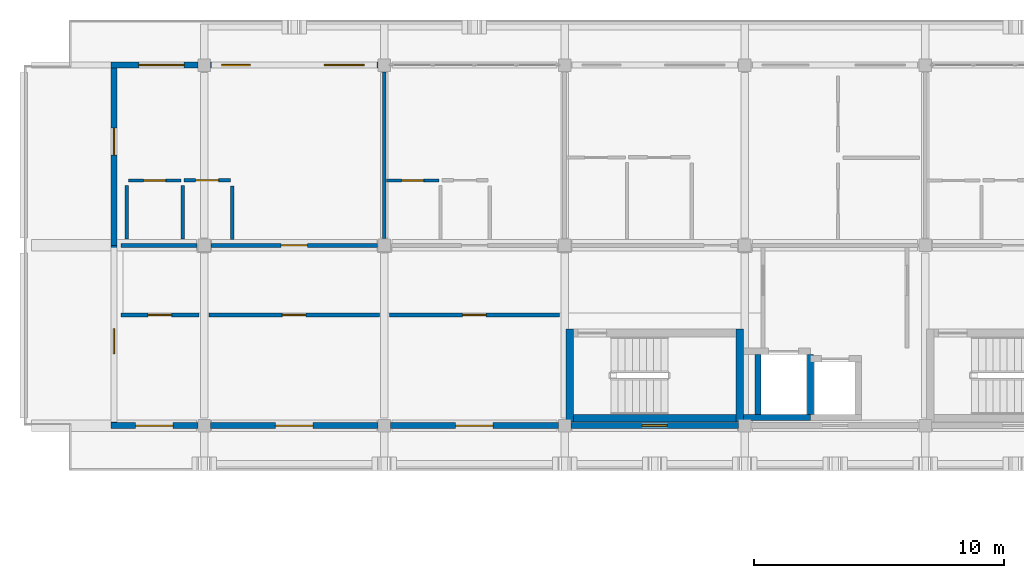
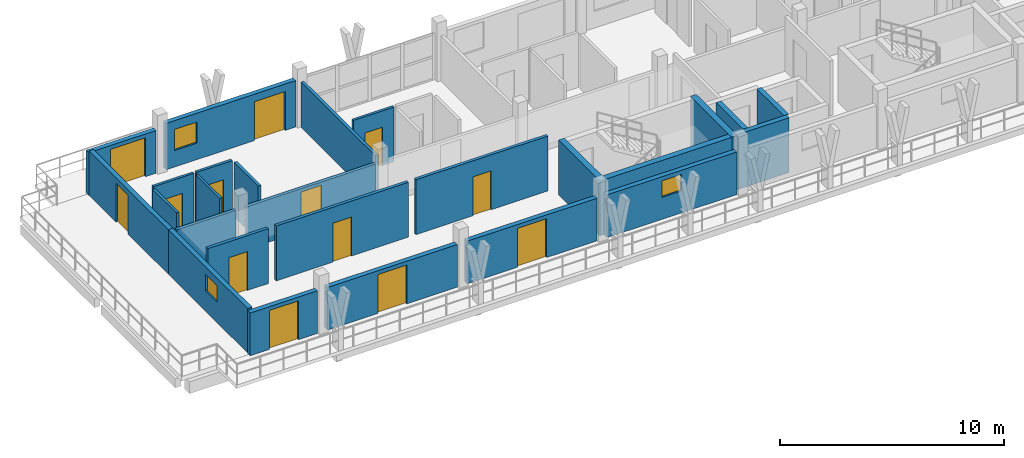
# One storey, part 27 of 45: 26 walls, 13 doors, 3 windows, 16 openings.
"""IFC4 building model written with IfcOpenShell, lengths in metres."""

from ifc_helpers import new_model, si_unit, direction, frame, frame_2d, origin, place, context, subcontext, project, spatial, rectangle, extrude, material, layer, layer_set, type_object, element, fill, save


model = new_model("IFC4")

# Units and contexts
model_context = context("Model", 3, precision=1e-05, world=origin(), true_north=direction((0.0, 1.0)))
body_context = subcontext(model_context, "Body", "Model", "MODEL_VIEW")
ifc_project = project(units=[si_unit("LENGTHUNIT", "METRE"), si_unit("AREAUNIT", "SQUARE_METRE"), si_unit("VOLUMEUNIT", "CUBIC_METRE"), si_unit("PLANEANGLEUNIT", "RADIAN"), si_unit("MASSUNIT", "GRAM", prefix="KILO")], contexts=[model_context])

# Site, building, storey
site_placement = place(None, origin())
site = spatial("IfcSite", under=ifc_project, at=site_placement, CompositionType="ELEMENT")
building_placement = place(site_placement, origin())
building = spatial("IfcBuilding", under=site, at=building_placement, Name="Suanplinth Sawtooth Commons", CompositionType="ELEMENT")
storey_placement = place(building_placement, frame((0.0, 0.0, 38.0)))
storey = spatial("IfcBuildingStorey", under=building, at=storey_placement, Name="L11", CompositionType="ELEMENT", Elevation=38.0)

# Walls
ifc_material_1 = material(Name="Concrete C40/50", Category="concrete")
ifc_layer_1 = layer(ifc_material_1, 0.300048828125, Name="Standard RC stair and lift core wall 300mm")
ifc_layer_set_1 = layer_set([ifc_layer_1], Name="Concrete C40/50")
wall_type_1 = type_object("IfcWallType", Name="W-CR02", PredefinedType="SHEAR", material=ifc_layer_set_1)
wall_1_placement = place(storey_placement, frame((43.550048828125, 108.300048828125, 0.0), z_axis=(0.0, 0.0, 1.0), x_axis=(1.0, 0.0, 0.0)))
element("IfcWall", 1, at=wall_1_placement, inside=storey, type_object=wall_type_1, Name="W-L11-C-A1-STS", PredefinedType="SHEAR", context=body_context, shape_type="SweptSolid", body=[
    extrude(rectangle(XDim=6.5, YDim=0.300048828125, at=frame_2d((3.25, 0.0))), origin(), (0.0, 0.0, 1.0), 2.989990234375),
])
for number, where, z_axis, x_axis, name in (
    (2, (43.39990234375, 108.14990234375, 0.0), (0.0, 0.0, 1.0), (0.0, 1.0, 0.0), "W-L11-C-A1-STW"),
    (3, (50.199951171875, 108.14990234375, 0.0), (0.0, 0.0, 1.0), (0.0, 1.0, 0.0), "W-L11-C-A1-STE"),
):
    element("IfcWall", number, at=place(storey_placement, frame(where, z_axis=z_axis, x_axis=x_axis)), inside=storey, type_object=wall_type_1, Name=name, PredefinedType="SHEAR", context=body_context, shape_type="SweptSolid", body=[
        extrude(rectangle(XDim=3.7001953125, YDim=0.300048828125, at=frame_2d((1.85009765625, 0.0))), origin(), (0.0, 0.0, 1.0), 2.989990234375),
    ])

# Wall, opening, door
ifc_material_2 = material(Name="Precast concrete C40/50", Category="concrete")
ifc_layer_2 = layer(ifc_material_2, 0.239990234375, Name="Upper insulated precast facade wall 240mm")
ifc_layer_set_2 = layer_set([ifc_layer_2], Name="Precast concrete C40/50")
wall_type_2 = type_object("IfcWallType", Name="W-EX03", PredefinedType="ELEMENTEDWALL", material=ifc_layer_set_2)
wall_2_placement = place(storey_placement, frame((25.080078125, 122.39990234375, 0.0), z_axis=(0.0, 0.0, 1.0), x_axis=(1.0, 0.0, 0.0)))
wall_2 = element("IfcWall", 4, at=wall_2_placement, inside=storey, type_object=wall_type_2, Name="Facade Wall W-L11-A-N-0", PredefinedType="ELEMENTEDWALL", context=body_context, shape_type="SweptSolid", body=[
    extrude(rectangle(XDim=3.469970703125, YDim=0.239990234375, at=frame_2d((1.73486328125, 0.0))), origin(), (0.0, 0.0, 1.0), 2.324951171875),
])
opening_1_placement = place(wall_2_placement, frame((1.1201171875, 0.0, 0.0)))
opening_1 = element("IfcOpeningElement", 5, at=opening_1_placement, cuts=wall_2, Name="Opening ED0778", PredefinedType="OPENING", context=body_context, shape_type="SweptSolid", body=[
    extrude(rectangle(XDim=1.800048828125, YDim=2.1201171875, at=frame_2d((0.89990234375, 1.06005859375))), frame((0.0, 0.134765625, 0.0), z_axis=(0.0, -1.0, 0.0), x_axis=(1.0, 0.0, 0.0)), (0.0, 0.0, 1.0), 0.269775390625),
])
ifc_material_3 = material(Name="Anodized aluminium and low-E glass", Category="aluminium")
door_type_1 = type_object("IfcDoorType", Name="SD-01", OperationType="SLIDING_TO_LEFT", PredefinedType="DOOR", material=ifc_material_3)
door_1_placement = place(opening_1_placement, frame((1.800048828125, 0.0, 0.0), z_axis=(0.0, 0.0, 1.0), x_axis=(-1.0, 0.0, 0.0)))
door_1 = element("IfcDoor", 6, at=door_1_placement, inside=storey, type_object=door_type_1, Name="Balcony Sliding Door L11-A-N-0", OperationType="SLIDING_TO_LEFT", OverallHeight=2.1201171875, OverallWidth=1.800048828125, PredefinedType="DOOR", context=body_context, shape_type="SweptSolid", body=[
    extrude(rectangle(XDim=1.800048828125, YDim=2.1201171875, at=frame_2d((0.89990234375, 1.06005859375))), frame((0.0, 0.02490234375, 0.0), z_axis=(0.0, -1.0, 0.0), x_axis=(1.0, 0.0, 0.0)), (0.0, 0.0, 1.0), 0.050048828125),
])
fill(opening_1, door_1)

wall_3_placement = place(storey_placement, frame((25.080078125, 108.0, 0.0), z_axis=(0.0, 0.0, 1.0), x_axis=(1.0, 0.0, 0.0)))
wall_3 = element("IfcWall", 7, at=wall_3_placement, inside=storey, type_object=wall_type_2, Name="Courtyard Wall W-L11-A-S-0", PredefinedType="ELEMENTEDWALL", context=body_context, shape_type="SweptSolid", body=[
    extrude(rectangle(XDim=3.469970703125, YDim=0.239990234375, at=frame_2d((1.73486328125, 0.0))), origin(), (0.0, 0.0, 1.0), 2.324951171875),
])
opening_2_placement = place(wall_3_placement, frame((0.985107421875, 0.0, 0.0)))
opening_2 = element("IfcOpeningElement", 8, at=opening_2_placement, cuts=wall_3, Name="Opening ED0779", PredefinedType="OPENING", context=body_context, shape_type="SweptSolid", body=[
    extrude(rectangle(XDim=1.5, YDim=2.1201171875, at=frame_2d((0.75, 1.06005859375))), frame((0.0, 0.134765625, 0.0), z_axis=(0.0, -1.0, 0.0), x_axis=(1.0, 0.0, 0.0)), (0.0, 0.0, 1.0), 0.269775390625),
])
door_type_2 = type_object("IfcDoorType", Name="SD-03", OperationType="SLIDING_TO_LEFT", PredefinedType="DOOR", material=ifc_material_3)
door_2_placement = place(opening_2_placement, frame((1.5, 0.0, 0.0), z_axis=(0.0, 0.0, 1.0), x_axis=(-1.0, 0.0, 0.0)))
door_2 = element("IfcDoor", 9, at=door_2_placement, inside=storey, type_object=door_type_2, Name="Courtyard Balcony Sliding Door L11-A-S-0", OperationType="SLIDING_TO_LEFT", OverallHeight=2.1201171875, OverallWidth=1.5, PredefinedType="DOOR", context=body_context, shape_type="SweptSolid", body=[
    extrude(rectangle(XDim=1.5, YDim=2.1201171875, at=frame_2d((0.75, 1.06005859375))), frame((0.0, 0.02490234375, 0.0), z_axis=(0.0, -1.0, 0.0), x_axis=(1.0, 0.0, 0.0)), (0.0, 0.0, 1.0), 0.050048828125),
])
fill(opening_2, door_2)

# Wall, openings, door, window
wall_4_placement = place(storey_placement, frame((29.050048828125, 122.39990234375, 0.0), z_axis=(0.0, 0.0, 1.0), x_axis=(1.0, 0.0, 0.0)))
wall_4 = element("IfcWall", 10, at=wall_4_placement, inside=storey, type_object=wall_type_2, Name="Facade Wall W-L11-A-N-1", PredefinedType="ELEMENTEDWALL", context=body_context, shape_type="SweptSolid", body=[
    extrude(rectangle(XDim=6.699951171875, YDim=0.239990234375, at=frame_2d((3.35009765625, 0.0))), origin(), (0.0, 0.0, 1.0), 2.52490234375),
])
opening_3_placement = place(wall_4_placement, frame((4.550048828125, 0.0, 0.0)))
opening_3 = element("IfcOpeningElement", 11, at=opening_3_placement, cuts=wall_4, Name="Opening ED0780", PredefinedType="OPENING", context=body_context, shape_type="SweptSolid", body=[
    extrude(rectangle(XDim=1.60009765625, YDim=2.1201171875, at=frame_2d((0.800048828125, 1.06005859375))), frame((0.0, 0.134765625, 0.0), z_axis=(0.0, -1.0, 0.0), x_axis=(1.0, 0.0, 0.0)), (0.0, 0.0, 1.0), 0.269775390625),
])
opening_4_placement = place(wall_4_placement, frame((0.449951171875, 0.0, 0.89990234375)))
opening_4 = element("IfcOpeningElement", 12, at=opening_4_placement, cuts=wall_4, Name="Opening W0862", PredefinedType="OPENING", context=body_context, shape_type="SweptSolid", body=[
    extrude(rectangle(XDim=1.14990234375, YDim=1.14990234375, at=frame_2d((0.574951171875, 0.574951171875))), frame((0.0, 0.134765625, 0.0), z_axis=(0.0, -1.0, 0.0), x_axis=(1.0, 0.0, 0.0)), (0.0, 0.0, 1.0), 0.269775390625),
])
door_type_3 = type_object("IfcDoorType", Name="SD-02", OperationType="SLIDING_TO_RIGHT", PredefinedType="DOOR", material=ifc_material_3)
door_3_placement = place(opening_3_placement, frame((1.60009765625, 0.0, 0.0), z_axis=(0.0, 0.0, 1.0), x_axis=(-1.0, 0.0, 0.0)))
door_3 = element("IfcDoor", 13, at=door_3_placement, inside=storey, type_object=door_type_3, Name="Balcony Sliding Door L11-A-N-1", OperationType="SLIDING_TO_RIGHT", OverallHeight=2.1201171875, OverallWidth=1.60009765625, PredefinedType="DOOR", context=body_context, shape_type="SweptSolid", body=[
    extrude(rectangle(XDim=1.60009765625, YDim=2.1201171875, at=frame_2d((0.800048828125, 1.06005859375))), frame((0.0, 0.02490234375, 0.0), z_axis=(0.0, -1.0, 0.0), x_axis=(1.0, 0.0, 0.0)), (0.0, 0.0, 1.0), 0.050048828125),
])
fill(opening_3, door_3)
ifc_material_4 = material(Name="Thermally broken aluminium and low-E double glazing", Category="aluminium")
window_type_1 = type_object("IfcWindowType", Name="WN-20", PartitioningType="SINGLE_PANEL", PredefinedType="WINDOW", material=ifc_material_4)
window_1_placement = place(opening_4_placement, origin())
window_1 = element("IfcWindow", 14, at=window_1_placement, inside=storey, type_object=window_type_1, Name="Window L11-A-N-1", OverallHeight=1.14990234375, OverallWidth=1.14990234375, PartitioningType="SINGLE_PANEL", PredefinedType="WINDOW", context=body_context, shape_type="SweptSolid", body=[
    extrude(rectangle(XDim=1.14990234375, YDim=1.14990234375, at=frame_2d((0.574951171875, 0.574951171875))), frame((0.0, 0.030029296875, 0.0), z_axis=(0.0, -1.0, 0.0), x_axis=(1.0, 0.0, 0.0)), (0.0, 0.0, 1.0), 0.06005859375),
])
fill(opening_4, window_1)

# Wall, opening, door
wall_5_placement = place(storey_placement, frame((29.050048828125, 108.0, 0.0), z_axis=(0.0, 0.0, 1.0), x_axis=(1.0, 0.0, 0.0)))
wall_5 = element("IfcWall", 15, at=wall_5_placement, inside=storey, type_object=wall_type_2, Name="Courtyard Wall W-L11-A-S-1", PredefinedType="ELEMENTEDWALL", context=body_context, shape_type="SweptSolid", body=[
    extrude(rectangle(XDim=6.699951171875, YDim=0.239990234375, at=frame_2d((3.35009765625, 0.0))), origin(), (0.0, 0.0, 1.0), 2.324951171875),
])
opening_5_placement = place(wall_5_placement, frame((2.60009765625, 0.0, 0.0)))
opening_5 = element("IfcOpeningElement", 16, at=opening_5_placement, cuts=wall_5, Name="Opening ED0781", PredefinedType="OPENING", context=body_context, shape_type="SweptSolid", body=[
    extrude(rectangle(XDim=1.5, YDim=2.1201171875, at=frame_2d((0.75, 1.06005859375))), frame((0.0, 0.134765625, 0.0), z_axis=(0.0, -1.0, 0.0), x_axis=(1.0, 0.0, 0.0)), (0.0, 0.0, 1.0), 0.269775390625),
])
door_4_placement = place(opening_5_placement, frame((1.5, 0.0, 0.0), z_axis=(0.0, 0.0, 1.0), x_axis=(-1.0, 0.0, 0.0)))
door_4 = element("IfcDoor", 17, at=door_4_placement, inside=storey, type_object=door_type_2, Name="Courtyard Balcony Sliding Door L11-A-S-1", OperationType="SLIDING_TO_LEFT", OverallHeight=2.1201171875, OverallWidth=1.5, PredefinedType="DOOR", context=body_context, shape_type="SweptSolid", body=[
    extrude(rectangle(XDim=1.5, YDim=2.1201171875, at=frame_2d((0.75, 1.06005859375))), frame((0.0, 0.02490234375, 0.0), z_axis=(0.0, -1.0, 0.0), x_axis=(1.0, 0.0, 0.0)), (0.0, 0.0, 1.0), 0.050048828125),
])
fill(opening_5, door_4)

wall_6_placement = place(storey_placement, frame((36.25, 108.0, 0.0), z_axis=(0.0, 0.0, 1.0), x_axis=(1.0, 0.0, 0.0)))
wall_6 = element("IfcWall", 18, at=wall_6_placement, inside=storey, type_object=wall_type_2, Name="Courtyard Wall W-L11-A-S-2", PredefinedType="ELEMENTEDWALL", context=body_context, shape_type="SweptSolid", body=[
    extrude(rectangle(XDim=6.699951171875, YDim=0.239990234375, at=frame_2d((3.35009765625, 0.0))), origin(), (0.0, 0.0, 1.0), 2.324951171875),
])
opening_6_placement = place(wall_6_placement, frame((2.60009765625, 0.0, 0.0)))
opening_6 = element("IfcOpeningElement", 19, at=opening_6_placement, cuts=wall_6, Name="Opening ED0782", PredefinedType="OPENING", context=body_context, shape_type="SweptSolid", body=[
    extrude(rectangle(XDim=1.5, YDim=2.1201171875, at=frame_2d((0.75, 1.06005859375))), frame((0.0, 0.134765625, 0.0), z_axis=(0.0, -1.0, 0.0), x_axis=(1.0, 0.0, 0.0)), (0.0, 0.0, 1.0), 0.269775390625),
])
door_5_placement = place(opening_6_placement, frame((1.5, 0.0, 0.0), z_axis=(0.0, 0.0, 1.0), x_axis=(-1.0, 0.0, 0.0)))
door_5 = element("IfcDoor", 20, at=door_5_placement, inside=storey, type_object=door_type_2, Name="Courtyard Balcony Sliding Door L11-A-S-2", OperationType="SLIDING_TO_LEFT", OverallHeight=2.1201171875, OverallWidth=1.5, PredefinedType="DOOR", context=body_context, shape_type="SweptSolid", body=[
    extrude(rectangle(XDim=1.5, YDim=2.1201171875, at=frame_2d((0.75, 1.06005859375))), frame((0.0, 0.02490234375, 0.0), z_axis=(0.0, -1.0, 0.0), x_axis=(1.0, 0.0, 0.0)), (0.0, 0.0, 1.0), 0.050048828125),
])
fill(opening_6, door_5)

# Wall, opening, window
wall_7_placement = place(storey_placement, frame((43.449951171875, 108.0, 0.0), z_axis=(0.0, 0.0, 1.0), x_axis=(1.0, 0.0, 0.0)))
wall_7 = element("IfcWall", 21, at=wall_7_placement, inside=storey, type_object=wall_type_2, Name="Courtyard Wall W-L11-A-S-3", PredefinedType="ELEMENTEDWALL", context=body_context, shape_type="SweptSolid", body=[
    extrude(rectangle(XDim=6.699951171875, YDim=0.239990234375, at=frame_2d((3.35009765625, 0.0))), origin(), (0.0, 0.0, 1.0), 2.324951171875),
])
opening_7_placement = place(wall_7_placement, frame((2.85009765625, 0.0, 1.199951171875)))
opening_7 = element("IfcOpeningElement", 22, at=opening_7_placement, cuts=wall_7, Name="Opening W0864", PredefinedType="OPENING", context=body_context, shape_type="SweptSolid", body=[
    extrude(rectangle(XDim=1.0, YDim=0.89990234375, at=frame_2d((0.5, 0.449951171875))), frame((0.0, 0.134765625, 0.0), z_axis=(0.0, -1.0, 0.0), x_axis=(1.0, 0.0, 0.0)), (0.0, 0.0, 1.0), 0.269775390625),
])
window_type_2 = type_object("IfcWindowType", Name="WN-12", PartitioningType="SINGLE_PANEL", PredefinedType="WINDOW", material=ifc_material_4)
window_2_placement = place(opening_7_placement, origin())
window_2 = element("IfcWindow", 23, at=window_2_placement, inside=storey, type_object=window_type_2, Name="Core Daylight Window L11-A-3", OverallHeight=0.89990234375, OverallWidth=1.0, PartitioningType="SINGLE_PANEL", PredefinedType="WINDOW", context=body_context, shape_type="SweptSolid", body=[
    extrude(rectangle(XDim=1.0, YDim=0.89990234375, at=frame_2d((0.5, 0.449951171875))), frame((0.0, 0.030029296875, 0.0), z_axis=(0.0, -1.0, 0.0), x_axis=(1.0, 0.0, 0.0)), (0.0, 0.0, 1.0), 0.06005859375),
])
fill(opening_7, window_2)

ifc_layer_3 = layer(ifc_material_2, 0.22998046875, Name="Stepped terrace insulated precast wall 230mm")
ifc_layer_set_3 = layer_set([ifc_layer_3], Name="Precast concrete C40/50")
wall_type_3 = type_object("IfcWallType", Name="W-EX06", PredefinedType="ELEMENTEDWALL", material=ifc_layer_set_3)
wall_8_placement = place(storey_placement, frame((25.199951171875, 108.1201171875, 0.0), z_axis=(0.0, 0.0, 1.0), x_axis=(0.0, 1.0, 0.0)))
wall_8 = element("IfcWall", 24, at=wall_8_placement, inside=storey, type_object=wall_type_3, Name="End Wall W-L11-A-W-15", PredefinedType="ELEMENTEDWALL", context=body_context, shape_type="SweptSolid", body=[
    extrude(rectangle(XDim=7.079833984375, YDim=0.22998046875, at=frame_2d((3.5400390625, 0.0))), origin(), (0.0, 0.0, 1.0), 2.425048828125),
])
opening_8_placement = place(wall_8_placement, frame((2.75, 0.0, 1.10009765625)))
opening_8 = element("IfcOpeningElement", 25, at=opening_8_placement, cuts=wall_8, Name="Opening W0871", PredefinedType="OPENING", context=body_context, shape_type="SweptSolid", body=[
    extrude(rectangle(XDim=1.0, YDim=0.89990234375, at=frame_2d((0.5, 0.449951171875))), frame((0.0, 0.1298828125, 0.0), z_axis=(0.0, -1.0, 0.0), x_axis=(1.0, 0.0, 0.0)), (0.0, 0.0, 1.0), 0.259765625),
])
window_3_placement = place(opening_8_placement, origin())
window_3 = element("IfcWindow", 26, at=window_3_placement, inside=storey, type_object=window_type_2, Name="End Window L11-A-W-15", OverallHeight=0.89990234375, OverallWidth=1.0, PartitioningType="SINGLE_PANEL", PredefinedType="WINDOW", context=body_context, shape_type="SweptSolid", body=[
    extrude(rectangle(XDim=1.0, YDim=0.89990234375, at=frame_2d((0.5, 0.449951171875))), frame((0.0, 0.030029296875, 0.0), z_axis=(0.0, -1.0, 0.0), x_axis=(1.0, 0.0, 0.0)), (0.0, 0.0, 1.0), 0.06005859375),
])
fill(opening_8, window_3)

# Wall, opening, door
wall_9_placement = place(storey_placement, frame((25.199951171875, 115.199951171875, 0.0), z_axis=(0.0, 0.0, 1.0), x_axis=(0.0, 1.0, 0.0)))
wall_9 = element("IfcWall", 27, at=wall_9_placement, inside=storey, type_object=wall_type_3, Name="End Wall W-L11-A-W-16", PredefinedType="ELEMENTEDWALL", context=body_context, shape_type="SweptSolid", body=[
    extrude(rectangle(XDim=7.080078125, YDim=0.22998046875, at=frame_2d((3.5400390625, 0.0))), origin(), (0.0, 0.0, 1.0), 2.425048828125),
])
opening_9_placement = place(wall_9_placement, frame((3.60009765625, 0.0, 0.0)))
opening_9 = element("IfcOpeningElement", 28, at=opening_9_placement, cuts=wall_9, Name="Opening ED0791", PredefinedType="OPENING", context=body_context, shape_type="SweptSolid", body=[
    extrude(rectangle(XDim=1.080078125, YDim=2.1201171875, at=frame_2d((0.5400390625, 1.06005859375))), frame((0.0, 0.1298828125, 0.0), z_axis=(0.0, -1.0, 0.0), x_axis=(1.0, 0.0, 0.0)), (0.0, 0.0, 1.0), 0.259765625),
])
door_type_4 = type_object("IfcDoorType", Name="ED-10", OperationType="NOTDEFINED", PredefinedType="DOOR", material=ifc_material_3)
door_6_placement = place(opening_9_placement, frame((1.080078125, 0.0, 0.0), z_axis=(0.0, 0.0, 1.0), x_axis=(-1.0, 0.0, 0.0)))
door_6 = element("IfcDoor", 29, at=door_6_placement, inside=storey, type_object=door_type_4, Name="L11 Block A W Stepped Terrace Door", OperationType="SINGLE_SWING_RIGHT", OverallHeight=2.1201171875, OverallWidth=1.080078125, PredefinedType="DOOR", context=body_context, shape_type="SweptSolid", body=[
    extrude(rectangle(XDim=1.080078125, YDim=2.1201171875, at=frame_2d((0.5400390625, 1.06005859375))), frame((0.0, 0.02490234375, 0.0), z_axis=(0.0, -1.0, 0.0), x_axis=(1.0, 0.0, 0.0)), (0.0, 0.0, 1.0), 0.050048828125),
])
fill(opening_9, door_6)

# Wall
ifc_layer_4 = layer(ifc_material_2, 0.159912109375, Name="Fire-rated corridor and lobby wall 160mm")
ifc_layer_set_4 = layer_set([ifc_layer_4], Name="Precast concrete C40/50")
wall_type_4 = type_object("IfcWallType", Name="W-FW01", PredefinedType="PARTITIONING", material=ifc_layer_set_4)
wall_10_placement = place(storey_placement, frame((25.47998046875, 115.199951171875, 0.0), z_axis=(0.0, 0.0, 1.0), x_axis=(1.0, 0.0, 0.0)))
element("IfcWall", 30, at=wall_10_placement, inside=storey, type_object=wall_type_4, Name="W-A-L11-U01-COR-S1", PredefinedType="PARTITIONING", context=body_context, shape_type="SweptSolid", body=[
    extrude(rectangle(XDim=3.0400390625, YDim=0.159912109375, at=frame_2d((1.52001953125, 0.0))), origin(), (0.0, 0.0, 1.0), 2.324951171875),
])

# Wall, opening, door
wall_11_placement = place(storey_placement, frame((29.080078125, 115.199951171875, 0.0), z_axis=(0.0, 0.0, 1.0), x_axis=(1.0, 0.0, 0.0)))
wall_11 = element("IfcWall", 31, at=wall_11_placement, inside=storey, type_object=wall_type_4, Name="W-A-L11-U01-COR-S2", PredefinedType="PARTITIONING", context=body_context, shape_type="SweptSolid", body=[
    extrude(rectangle(XDim=6.639892578125, YDim=0.159912109375, at=frame_2d((3.31982421875, 0.0))), origin(), (0.0, 0.0, 1.0), 2.324951171875),
])
opening_10_placement = place(wall_11_placement, frame((2.794921875, 0.0, 0.0)))
opening_10 = element("IfcOpeningElement", 32, at=opening_10_placement, cuts=wall_11, Name="Opening FD1928", PredefinedType="OPENING", context=body_context, shape_type="SweptSolid", body=[
    extrude(rectangle(XDim=1.050048828125, YDim=2.14990234375, at=frame_2d((0.52490234375, 1.074951171875))), frame((0.0, 0.0947265625, 0.0), z_axis=(0.0, -1.0, 0.0), x_axis=(1.0, 0.0, 0.0)), (0.0, 0.0, 1.0), 0.189697265625),
])
ifc_material_5 = material(Name="Teak hardwood fire-rated door assembly", Category="wood")
door_type_5 = type_object("IfcDoorType", Name="FD-04", OperationType="NOTDEFINED", PredefinedType="DOOR", material=ifc_material_5)
door_7_placement = place(opening_10_placement, origin())
door_7 = element("IfcDoor", 33, at=door_7_placement, inside=storey, type_object=door_type_5, Name="Unit Entrance Door FD1928", OperationType="SINGLE_SWING_RIGHT", OverallHeight=2.14990234375, OverallWidth=1.050048828125, PredefinedType="DOOR", context=body_context, shape_type="SweptSolid", body=[
    extrude(rectangle(XDim=1.050048828125, YDim=2.14990234375, at=frame_2d((0.52490234375, 1.074951171875))), frame((0.0, 0.02490234375, 0.0), z_axis=(0.0, -1.0, 0.0), x_axis=(1.0, 0.0, 0.0)), (0.0, 0.0, 1.0), 0.050048828125),
])
fill(opening_10, door_7)

wall_12_placement = place(storey_placement, frame((25.47998046875, 112.419921875, 0.0), z_axis=(0.0, 0.0, 1.0), x_axis=(1.0, 0.0, 0.0)))
wall_12 = element("IfcWall", 34, at=wall_12_placement, inside=storey, type_object=wall_type_4, Name="W-A-L11-COURTROOM-7-COR", PredefinedType="PARTITIONING", context=body_context, shape_type="SweptSolid", body=[
    extrude(rectangle(XDim=3.1201171875, YDim=0.159912109375, at=frame_2d((1.56005859375, 0.0))), origin(), (0.0, 0.0, 1.0), 2.989990234375),
])
opening_11_placement = place(wall_12_placement, frame((1.090087890625, 0.0, 0.0)))
opening_11 = element("IfcOpeningElement", 35, at=opening_11_placement, cuts=wall_12, Name="Opening D1951", PredefinedType="OPENING", context=body_context, shape_type="SweptSolid", body=[
    extrude(rectangle(XDim=0.93994140625, YDim=2.1201171875, at=frame_2d((0.469970703125, 1.06005859375))), frame((0.0, 0.0947265625, 0.0), z_axis=(0.0, -1.0, 0.0), x_axis=(1.0, 0.0, 0.0)), (0.0, 0.0, 1.0), 0.189697265625),
])
ifc_material_6 = material(Name="Teak hardwood", Category="wood")
door_type_6 = type_object("IfcDoorType", Name="D-15", OperationType="NOTDEFINED", PredefinedType="DOOR", material=ifc_material_6)
door_8_placement = place(opening_11_placement, frame((0.93994140625, 0.0, 0.0), z_axis=(0.0, 0.0, 1.0), x_axis=(-1.0, 0.0, 0.0)))
door_8 = element("IfcDoor", 36, at=door_8_placement, inside=storey, type_object=door_type_6, Name="Study Studio Door D1951", OperationType="SINGLE_SWING_LEFT", OverallHeight=2.1201171875, OverallWidth=0.93994140625, PredefinedType="DOOR", context=body_context, shape_type="SweptSolid", body=[
    extrude(rectangle(XDim=0.93994140625, YDim=2.1201171875, at=frame_2d((0.469970703125, 1.06005859375))), frame((0.0, 0.02490234375, 0.0), z_axis=(0.0, -1.0, 0.0), x_axis=(1.0, 0.0, 0.0)), (0.0, 0.0, 1.0), 0.050048828125),
])
fill(opening_11, door_8)

wall_13_placement = place(storey_placement, frame((29.0, 112.419921875, 0.0), z_axis=(0.0, 0.0, 1.0), x_axis=(1.0, 0.0, 0.0)))
wall_13 = element("IfcWall", 37, at=wall_13_placement, inside=storey, type_object=wall_type_4, Name="W-A-L11-COURTROOM-8-COR", PredefinedType="PARTITIONING", context=body_context, shape_type="SweptSolid", body=[
    extrude(rectangle(XDim=6.800048828125, YDim=0.159912109375, at=frame_2d((3.39990234375, 0.0))), origin(), (0.0, 0.0, 1.0), 2.989990234375),
])
opening_12_placement = place(wall_13_placement, frame((2.929931640625, 0.0, 0.0)))
opening_12 = element("IfcOpeningElement", 38, at=opening_12_placement, cuts=wall_13, Name="Opening D1952", PredefinedType="OPENING", context=body_context, shape_type="SweptSolid", body=[
    extrude(rectangle(XDim=0.93994140625, YDim=2.1201171875, at=frame_2d((0.469970703125, 1.06005859375))), frame((0.0, 0.0947265625, 0.0), z_axis=(0.0, -1.0, 0.0), x_axis=(1.0, 0.0, 0.0)), (0.0, 0.0, 1.0), 0.189697265625),
])
door_9_placement = place(opening_12_placement, frame((0.93994140625, 0.0, 0.0), z_axis=(0.0, 0.0, 1.0), x_axis=(-1.0, 0.0, 0.0)))
door_9 = element("IfcDoor", 39, at=door_9_placement, inside=storey, type_object=door_type_6, Name="Study Studio Door D1952", OperationType="SINGLE_SWING_RIGHT", OverallHeight=2.1201171875, OverallWidth=0.93994140625, PredefinedType="DOOR", context=body_context, shape_type="SweptSolid", body=[
    extrude(rectangle(XDim=0.93994140625, YDim=2.1201171875, at=frame_2d((0.469970703125, 1.06005859375))), frame((0.0, 0.02490234375, 0.0), z_axis=(0.0, -1.0, 0.0), x_axis=(1.0, 0.0, 0.0)), (0.0, 0.0, 1.0), 0.050048828125),
])
fill(opening_12, door_9)

wall_14_placement = place(storey_placement, frame((36.199951171875, 112.419921875, 0.0), z_axis=(0.0, 0.0, 1.0), x_axis=(1.0, 0.0, 0.0)))
wall_14 = element("IfcWall", 40, at=wall_14_placement, inside=storey, type_object=wall_type_4, Name="W-A-L11-COURTROOM-9-COR", PredefinedType="PARTITIONING", context=body_context, shape_type="SweptSolid", body=[
    extrude(rectangle(XDim=6.800048828125, YDim=0.159912109375, at=frame_2d((3.39990234375, 0.0))), origin(), (0.0, 0.0, 1.0), 2.989990234375),
])
opening_13_placement = place(wall_14_placement, frame((2.929931640625, 0.0, 0.0)))
opening_13 = element("IfcOpeningElement", 41, at=opening_13_placement, cuts=wall_14, Name="Opening D1953", PredefinedType="OPENING", context=body_context, shape_type="SweptSolid", body=[
    extrude(rectangle(XDim=0.93994140625, YDim=2.1201171875, at=frame_2d((0.469970703125, 1.06005859375))), frame((0.0, 0.0947265625, 0.0), z_axis=(0.0, -1.0, 0.0), x_axis=(1.0, 0.0, 0.0)), (0.0, 0.0, 1.0), 0.189697265625),
])
door_10_placement = place(opening_13_placement, frame((0.93994140625, 0.0, 0.0), z_axis=(0.0, 0.0, 1.0), x_axis=(-1.0, 0.0, 0.0)))
door_10 = element("IfcDoor", 42, at=door_10_placement, inside=storey, type_object=door_type_6, Name="Study Studio Door D1953", OperationType="SINGLE_SWING_LEFT", OverallHeight=2.1201171875, OverallWidth=0.93994140625, PredefinedType="DOOR", context=body_context, shape_type="SweptSolid", body=[
    extrude(rectangle(XDim=0.93994140625, YDim=2.1201171875, at=frame_2d((0.469970703125, 1.06005859375))), frame((0.0, 0.02490234375, 0.0), z_axis=(0.0, -1.0, 0.0), x_axis=(1.0, 0.0, 0.0)), (0.0, 0.0, 1.0), 0.050048828125),
])
fill(opening_13, door_10)

# Wall
ifc_layer_5 = layer(ifc_material_2, 0.14990234375, Name="Acoustic precast party demising wall 150mm")
ifc_layer_set_5 = layer_set([ifc_layer_5], Name="Precast concrete C40/50")
wall_type_5 = type_object("IfcWallType", Name="W-FW02", PredefinedType="PARTITIONING", material=ifc_layer_set_5)
wall_15_placement = place(storey_placement, frame((36.0, 115.47998046875, 0.0), z_axis=(0.0, 0.0, 1.0), x_axis=(0.0, 1.0, 0.0)))
element("IfcWall", 43, at=wall_15_placement, inside=storey, type_object=wall_type_5, Name="W-A-L11-U01-PTY", PredefinedType="PARTITIONING", context=body_context, shape_type="SweptSolid", body=[
    extrude(rectangle(XDim=6.64013671875, YDim=0.14990234375, at=frame_2d((3.320068359375, 0.0))), origin(), (0.0, 0.0, 1.0), 2.47509765625),
])

# Wall, opening, door
ifc_material_7 = material(Name="Gypsum plasterboard on steel stud", Category="steel")
ifc_layer_6 = layer(ifc_material_7, 0.139892578125, Name="Fire-rated kitchen partition 140mm")
ifc_layer_set_6 = layer_set([ifc_layer_6], Name="Gypsum plasterboard on steel stud")
wall_type_6 = type_object("IfcWallType", Name="W-PT01", PredefinedType="PARTITIONING", material=ifc_layer_set_6)
wall_16_placement = place(storey_placement, frame((28.0, 117.800048828125, 0.0), z_axis=(0.0, 0.0, 1.0), x_axis=(1.0, 0.0, 0.0)))
wall_16 = element("IfcWall", 44, at=wall_16_placement, inside=storey, type_object=wall_type_6, Name="W-A-L11-U01-KIT1", PredefinedType="PARTITIONING", context=body_context, shape_type="SweptSolid", body=[
    extrude(rectangle(XDim=1.85009765625, YDim=0.139892578125, at=frame_2d((0.925048828125, 0.0))), origin(), (0.0, 0.0, 1.0), 2.989990234375),
])
opening_14_placement = place(wall_16_placement, frame((0.465087890625, 0.0, 0.0)))
opening_14 = element("IfcOpeningElement", 45, at=opening_14_placement, cuts=wall_16, Name="Opening D1930", PredefinedType="OPENING", context=body_context, shape_type="SweptSolid", body=[
    extrude(rectangle(XDim=0.919921875, YDim=2.10009765625, at=frame_2d((0.4599609375, 1.050048828125))), frame((0.0, 0.0849609375, 0.0), z_axis=(0.0, -1.0, 0.0), x_axis=(1.0, 0.0, 0.0)), (0.0, 0.0, 1.0), 0.169677734375),
])
door_type_7 = type_object("IfcDoorType", Name="D-02", OperationType="NOTDEFINED", PredefinedType="DOOR", material=ifc_material_6)
door_11_placement = place(opening_14_placement, frame((0.919921875, 0.0, 0.0), z_axis=(0.0, 0.0, 1.0), x_axis=(-1.0, 0.0, 0.0)))
door_11 = element("IfcDoor", 46, at=door_11_placement, inside=storey, type_object=door_type_7, Name="Kitchen Door D1930", OperationType="SINGLE_SWING_RIGHT", OverallHeight=2.10009765625, OverallWidth=0.919921875, PredefinedType="DOOR", context=body_context, shape_type="SweptSolid", body=[
    extrude(rectangle(XDim=0.919921875, YDim=2.10009765625, at=frame_2d((0.4599609375, 1.050048828125))), frame((0.0, 0.02490234375, 0.0), z_axis=(0.0, -1.0, 0.0), x_axis=(1.0, 0.0, 0.0)), (0.0, 0.0, 1.0), 0.050048828125),
])
fill(opening_14, door_11)

# Wall
wall_17_placement = place(storey_placement, frame((29.919921875, 115.429931640625, 0.0), z_axis=(0.0, 0.0, 1.0), x_axis=(0.0, 1.0, 0.0)))
element("IfcWall", 47, at=wall_17_placement, inside=storey, type_object=wall_type_6, Name="W-A-L11-U01-KIT2", PredefinedType="PARTITIONING", context=body_context, shape_type="SweptSolid", body=[
    extrude(rectangle(XDim=2.150146484375, YDim=0.139892578125, at=frame_2d((1.0751953125, 0.0))), origin(), (0.0, 0.0, 1.0), 2.989990234375),
])

# Wall, opening, door
ifc_layer_7 = layer(ifc_material_7, 0.1298828125, Name="Moisture-resistant bathroom partition 130mm")
ifc_layer_set_7 = layer_set([ifc_layer_7], Name="Gypsum plasterboard on steel stud")
wall_type_7 = type_object("IfcWallType", Name="W-PT02", PredefinedType="PARTITIONING", material=ifc_layer_set_7)
wall_18_placement = place(storey_placement, frame((25.780029296875, 117.794921875, 0.0), z_axis=(0.0, 0.0, 1.0), x_axis=(1.0, 0.0, 0.0)))
wall_18 = element("IfcWall", 48, at=wall_18_placement, inside=storey, type_object=wall_type_7, Name="W-A-L11-U01-BTH1", PredefinedType="PARTITIONING", context=body_context, shape_type="SweptSolid", body=[
    extrude(rectangle(XDim=2.099853515625, YDim=0.1298828125, at=frame_2d((1.0498046875, 0.0))), origin(), (0.0, 0.0, 1.0), 2.989990234375),
])
opening_15_placement = place(wall_18_placement, frame((0.610107421875, 0.0, 0.0)))
opening_15 = element("IfcOpeningElement", 49, at=opening_15_placement, cuts=wall_18, Name="Opening D1929", PredefinedType="OPENING", context=body_context, shape_type="SweptSolid", body=[
    extrude(rectangle(XDim=0.8798828125, YDim=2.10009765625, at=frame_2d((0.43994140625, 1.050048828125))), frame((0.0, 0.079833984375, 0.0), z_axis=(0.0, -1.0, 0.0), x_axis=(1.0, 0.0, 0.0)), (0.0, 0.0, 1.0), 0.15966796875),
])
door_type_8 = type_object("IfcDoorType", Name="D-14", OperationType="NOTDEFINED", PredefinedType="DOOR", material=ifc_material_6)
door_12_placement = place(opening_15_placement, frame((0.8798828125, 0.0, 0.0), z_axis=(0.0, 0.0, 1.0), x_axis=(-1.0, 0.0, 0.0)))
door_12 = element("IfcDoor", 50, at=door_12_placement, inside=storey, type_object=door_type_8, Name="Bathroom Door D1929", OperationType="SINGLE_SWING_LEFT", OverallHeight=2.10009765625, OverallWidth=0.8798828125, PredefinedType="DOOR", context=body_context, shape_type="SweptSolid", body=[
    extrude(rectangle(XDim=0.8798828125, YDim=2.10009765625, at=frame_2d((0.43994140625, 1.050048828125))), frame((0.0, 0.02490234375, 0.0), z_axis=(0.0, -1.0, 0.0), x_axis=(1.0, 0.0, 0.0)), (0.0, 0.0, 1.0), 0.050048828125),
])
fill(opening_15, door_12)

# Walls
for number, where, z_axis, x_axis, name in (
    (51, (27.945068359375, 115.4599609375, 0.0), (0.0, 0.0, 1.0), (0.0, 1.0, 0.0), "W-A-L11-U01-BTH2"),
    (52, (25.715087890625, 115.4599609375, 0.0), (0.0, 0.0, 1.0), (0.0, 1.0, 0.0), "W-A-L11-U01-BTH3"),
):
    element("IfcWall", number, at=place(storey_placement, frame(where, z_axis=z_axis, x_axis=x_axis)), inside=storey, type_object=wall_type_7, Name=name, PredefinedType="PARTITIONING", context=body_context, shape_type="SweptSolid", body=[
        extrude(rectangle(XDim=2.130126953125, YDim=0.1298828125, at=frame_2d((1.06494140625, 0.0))), origin(), (0.0, 0.0, 1.0), 2.989990234375),
    ])

# Wall, opening, door
wall_19_placement = place(storey_placement, frame((36.080078125, 117.794921875, 0.0), z_axis=(0.0, 0.0, 1.0), x_axis=(1.0, 0.0, 0.0)))
wall_19 = element("IfcWall", 53, at=wall_19_placement, inside=storey, type_object=wall_type_7, Name="W-A-L11-U02-BTH1", PredefinedType="PARTITIONING", context=body_context, shape_type="SweptSolid", body=[
    extrude(rectangle(XDim=2.099853515625, YDim=0.1298828125, at=frame_2d((1.0498046875, 0.0))), origin(), (0.0, 0.0, 1.0), 2.989990234375),
])
opening_16_placement = place(wall_19_placement, frame((0.610107421875, 0.0, 0.0)))
opening_16 = element("IfcOpeningElement", 54, at=opening_16_placement, cuts=wall_19, Name="Opening D1932", PredefinedType="OPENING", context=body_context, shape_type="SweptSolid", body=[
    extrude(rectangle(XDim=0.8798828125, YDim=2.10009765625, at=frame_2d((0.43994140625, 1.050048828125))), frame((0.0, 0.079833984375, 0.0), z_axis=(0.0, -1.0, 0.0), x_axis=(1.0, 0.0, 0.0)), (0.0, 0.0, 1.0), 0.15966796875),
])
door_13_placement = place(opening_16_placement, frame((0.8798828125, 0.0, 0.0), z_axis=(0.0, 0.0, 1.0), x_axis=(-1.0, 0.0, 0.0)))
door_13 = element("IfcDoor", 55, at=door_13_placement, inside=storey, type_object=door_type_8, Name="Bathroom Door D1932", OperationType="SINGLE_SWING_RIGHT", OverallHeight=2.10009765625, OverallWidth=0.8798828125, PredefinedType="DOOR", context=body_context, shape_type="SweptSolid", body=[
    extrude(rectangle(XDim=0.8798828125, YDim=2.10009765625, at=frame_2d((0.43994140625, 1.050048828125))), frame((0.0, 0.02490234375, 0.0), z_axis=(0.0, -1.0, 0.0), x_axis=(1.0, 0.0, 0.0)), (0.0, 0.0, 1.0), 0.050048828125),
])
fill(opening_16, door_13)

# Walls
ifc_layer_8 = layer(ifc_material_2, 0.25, Name="Precast structural shear wall 250mm")
ifc_layer_set_8 = layer_set([ifc_layer_8], Name="Precast concrete C40/50")
wall_type_8 = type_object("IfcWallType", Name="W-SH01", PredefinedType="SHEAR", material=ifc_layer_set_8)
wall_20_placement = place(storey_placement, frame((50.35009765625, 108.324951171875, 0.0), z_axis=(0.0, 0.0, 1.0), x_axis=(1.0, 0.0, 0.0)))
element("IfcWall", 56, at=wall_20_placement, inside=storey, type_object=wall_type_8, Name="W-L11-FL1-S", PredefinedType="SHEAR", context=body_context, shape_type="SweptSolid", body=[
    extrude(rectangle(XDim=2.6748046875, YDim=0.25, at=frame_2d((1.33740234375, 0.0))), origin(), (0.0, 0.0, 1.0), 2.989990234375),
])
for number, where, z_axis, x_axis, name in (
    (57, (50.925048828125, 108.449951171875, 0.0), (0.0, 0.0, 1.0), (0.0, 1.0, 0.0), "W-L11-FL1-W"),
    (58, (53.02490234375, 108.449951171875, 0.0), (0.0, 0.0, 1.0), (0.0, 1.0, 0.0), "W-L11-FL1-DIV"),
):
    element("IfcWall", number, at=place(storey_placement, frame(where, z_axis=z_axis, x_axis=x_axis)), inside=storey, type_object=wall_type_8, Name=name, PredefinedType="SHEAR", context=body_context, shape_type="SweptSolid", body=[
        extrude(rectangle(XDim=2.400146484375, YDim=0.25, at=frame_2d((1.2001953125, 0.0))), origin(), (0.0, 0.0, 1.0), 2.989990234375),
    ])

save(model, "model.ifc")
